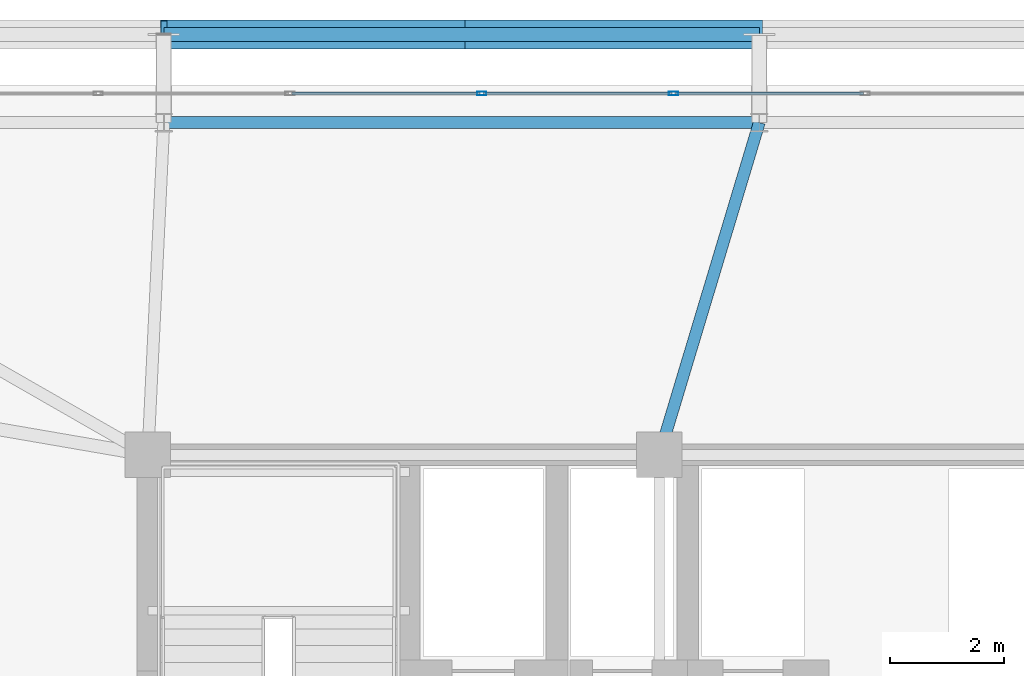
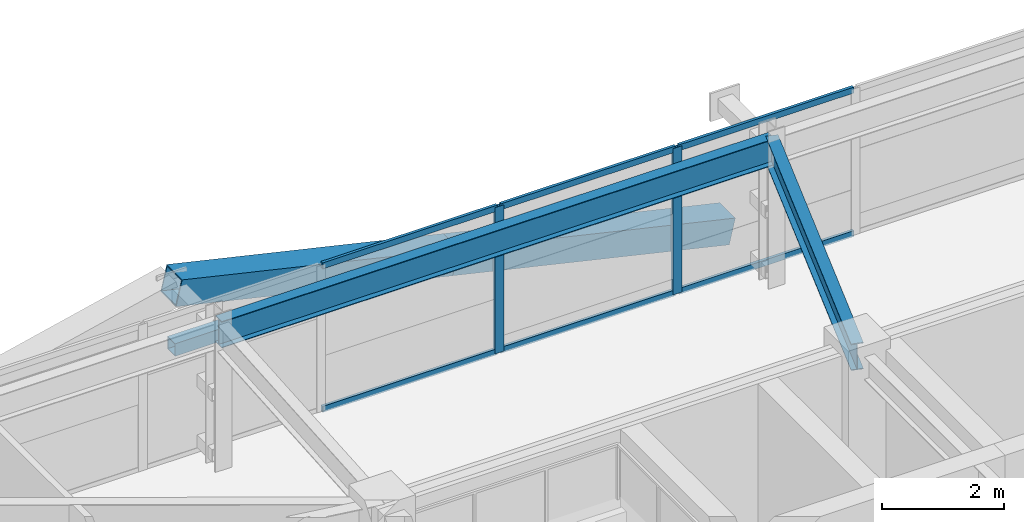
# One storey, part 36 of 58: 11 members, 2 beams, 1 element without a shape of its own.
"""IFC4 building model written with IfcOpenShell, lengths in metres."""

from ifc_helpers import new_model, si_unit, direction, frame, origin, origin_2d, place, context, subcontext, project, spatial, hollow_rectangle, i_section, extrude, source, transform, mapped, material, layer, layer_set, material_profile, profile_set, type_object, element, aggregate, save


model = new_model("IFC4")

# Units and contexts
model_context = context("Model", 3, precision=1e-05, world=origin(), true_north=direction((0.0, 1.0)))
body_context = subcontext(model_context, "Body", "Model", "MODEL_VIEW")
ifc_project = project(units=[si_unit("LENGTHUNIT", "METRE"), si_unit("AREAUNIT", "SQUARE_METRE"), si_unit("VOLUMEUNIT", "CUBIC_METRE"), si_unit("PLANEANGLEUNIT", "RADIAN"), si_unit("MASSUNIT", "GRAM", prefix="KILO")], contexts=[model_context])

# Site, building, storey
site_placement = place(None, origin())
site = spatial("IfcSite", under=ifc_project, at=site_placement, CompositionType="ELEMENT")
building_placement = place(site_placement, origin())
building = spatial("IfcBuilding", under=site, at=building_placement, Name="Taldren Reach Tower", CompositionType="ELEMENT")
storey_placement = place(building_placement, frame((0.0, 0.0, 35.699951171875)))
storey = spatial("IfcBuildingStorey", under=building, at=storey_placement, Name="L10", CompositionType="ELEMENT", Elevation=35.699951171875)

# Beams
ifc_material_1 = material(Name="Steel Gr 350 (350PLUS)", Category="steel")
ifc_material_profile_1 = material_profile(ifc_material_1, i_section(OverallWidth=0.208984375, OverallDepth=0.528076171875, WebThickness=0.009521484375, FlangeThickness=0.01318359375, at=origin_2d()), Name="530UB82.0")
ifc_profile_set_1 = profile_set([ifc_material_profile_1], Name="Steel Gr 350 (350PLUS)")
beam_type_1 = type_object("IfcBeamType", Name="SP-UB530B", PredefinedType="SPANDREL", material=ifc_profile_set_1)
shared_shape_1 = source(origin(), body_context, "Body", "SweptSolid", [
    extrude(i_section(OverallWidth=0.208984375, OverallDepth=0.528076171875, WebThickness=0.009521484375, FlangeThickness=0.01318359375, at=origin_2d()), origin(), (0.0, 0.0, 1.0), 10.47998046875),
])
beam_1_placement = place(storey_placement, frame((29.760009765625, 37.85009765625, 2.666015625), z_axis=(-1.0, 0.0, 0.0), x_axis=(0.0, -1.0, 0.0)))
element("IfcBeam", 1, at=beam_1_placement, inside=storey, type_object=beam_type_1, Name="Perimeter spandrel B1 N3-N2 L10", PredefinedType="SPANDREL", context=body_context, shape_type="MappedRepresentation", body=[
    mapped(shared_shape_1, transform((0.0, 0.0, 0.0), scale=1.0)),
])
ifc_material_profile_2 = material_profile(ifc_material_1, i_section(OverallWidth=0.208984375, OverallDepth=0.532958984375, WebThickness=0.01025390625, FlangeThickness=0.015625, at=origin_2d()), Name="530UB92.4")
ifc_profile_set_2 = profile_set([ifc_material_profile_2], Name="Steel Gr 350 (350PLUS)")
beam_type_2 = type_object("IfcBeamType", Name="BM-UB530A", PredefinedType="BEAM", material=ifc_profile_set_2)
shared_shape_2 = source(origin(), body_context, "Body", "SweptSolid", [
    extrude(i_section(OverallWidth=0.208984375, OverallDepth=0.532958984375, WebThickness=0.01025390625, FlangeThickness=0.015625, at=origin_2d()), origin(), (0.0, 0.0, 1.0), 6.109130859375),
])
beam_2_placement = place(storey_placement, frame((28.0, 32.0, 2.66357421875), z_axis=(0.288095735745, 0.957601611864, 0.0), x_axis=(-0.957601611864, 0.288095735745, 0.0)))
element("IfcBeam", 2, at=beam_2_placement, inside=storey, type_object=beam_type_2, Name="Primary floor girder B1-N3 L10", PredefinedType="BEAM", context=body_context, shape_type="MappedRepresentation", body=[
    mapped(shared_shape_2, transform((0.0, 0.0, 0.0), scale=1.0)),
])

# Members
ifc_material_2 = material(Name="Steel Gr 450 (C450L0)", Category="steel")
ifc_material_profile_3 = material_profile(ifc_material_2, hollow_rectangle(XDim=0.510009765625, YDim=0.510009765625, WallThickness=0.02001953125, at=origin_2d()), Name="510x510x20.0SHS")
ifc_profile_set_3 = profile_set([ifc_material_profile_3], Name="Steel Gr 450 (C450L0)")
member_type_1 = type_object("IfcMemberType", Name="MB-EXO508", PredefinedType="BRACE", material=ifc_profile_set_3)
shared_shape_3 = source(origin(), body_context, "Body", "SweptSolid", [
    extrude(hollow_rectangle(XDim=0.510009765625, YDim=0.510009765625, WallThickness=0.02001953125, at=origin_2d()), origin(), (0.0, 0.0, 1.0), 5.37890625),
])
for number, where, z_axis, x_axis, name in (
    (3, (29.760009765625, 39.39990234375, 0.219970703125), (-0.97415197996, 0.0, 0.225893603143), (0.0, -1.0, 0.0), "Exoskeleton Diagrid Brace B1-N2 L10"),
    (4, (24.52001953125, 39.39990234375, 1.43505859375), (-0.97415197996, 0.0, 0.225893603143), (0.0, -1.0, 0.0), "Exoskeleton Diagrid Brace B1-N2 L10"),
):
    element("IfcMember", number, at=place(storey_placement, frame(where, z_axis=z_axis, x_axis=x_axis)), inside=storey, type_object=member_type_1, Name=name, PredefinedType="BRACE", context=body_context, shape_type="MappedRepresentation", body=[
        mapped(shared_shape_3, transform((0.0, 0.0, 0.0), scale=1.0)),
    ])
ifc_material_3 = material(Name="Steel Gr 350 (C350L0)", Category="steel")
ifc_material_profile_4 = material_profile(ifc_material_3, hollow_rectangle(XDim=0.25, YDim=0.25, WallThickness=0.010009765625, at=origin_2d()), Name="250x250x10.0SHS")
ifc_profile_set_4 = profile_set([ifc_material_profile_4], Name="Steel Gr 350 (C350L0)")
member_type_2 = type_object("IfcMemberType", Name="MB-POST250", PredefinedType="POST", material=ifc_profile_set_4)
shared_shape_4 = source(origin(), body_context, "Body", "SweptSolid", [
    extrude(hollow_rectangle(XDim=0.25, YDim=0.25, WallThickness=0.010009765625, at=origin_2d()), origin(), (0.0, 0.0, 1.0), 10.47998046875),
])
member_1_placement = place(storey_placement, frame((19.280029296875, 39.39990234375, 1.43505859375), z_axis=(1.0, 0.0, 0.0), x_axis=(0.0, 1.0, 0.0)))
element("IfcMember", 5, at=member_1_placement, inside=storey, type_object=member_type_2, Name="Exoskeleton mid-height ring chord B1-N2 L10", PredefinedType="POST", context=body_context, shape_type="MappedRepresentation", body=[
    mapped(shared_shape_4, transform((0.0, 0.0, 0.0), scale=1.0)),
])

# Curtain wall, members
ifc_material_4 = material(Name="Aluminium and Low-E Glass Unitised System", Category="aluminium")
ifc_layer = layer(ifc_material_4, 0.159912109375)
ifc_layer_set = layer_set([ifc_layer], Name="Aluminium and Low-E Glass Unitised System")
curtain_wall_type = type_object("IfcCurtainWallType", Name="CW-SYS-2", PredefinedType="NOTDEFINED", material=ifc_layer_set)
curtain_wall_placement = place(storey_placement, origin())
curtain_wall = element("IfcCurtainWall", 6, at=curtain_wall_placement, inside=storey, type_object=curtain_wall_type, Name="Unitised curtain wall CW-L10-N", PredefinedType="NOTDEFINED")
ifc_material_5 = material(Name="Anodised Aluminium 6063-T6", Category="aluminium")
ifc_material_profile_5 = material_profile(ifc_material_5, hollow_rectangle(XDim=0.06494140625, YDim=0.1650390625, WallThickness=0.00390625, at=origin_2d()), Name="ALU-165x65x4RHS")
ifc_profile_set_5 = profile_set([ifc_material_profile_5], Name="Anodised Aluminium 6063-T6")
member_type_3 = type_object("IfcMemberType", Name="CW-MUL-165", PredefinedType="MULLION", material=ifc_profile_set_5)
shared_shape_5 = source(origin(), body_context, "Body", "SweptSolid", [
    extrude(hollow_rectangle(XDim=0.06494140625, YDim=0.1650390625, WallThickness=0.00390625, at=origin_2d()), origin(), (0.0, 0.0, 1.0), 2.929931640625),
])
member_2_placement = place(storey_placement, frame((28.25, 38.360107421875, 0.0), z_axis=(0.0, 0.0, 1.0), x_axis=(0.0, -1.0, 0.0)))
member_2 = element("IfcMember", 7, at=member_2_placement, type_object=member_type_3, Name="CW-2 mullion 11", PredefinedType="MULLION", context=body_context, shape_type="MappedRepresentation", body=[
    mapped(shared_shape_5, transform((0.0, 0.0, 0.0), scale=1.0)),
])
member_3_placement = place(storey_placement, frame((24.875, 38.360107421875, 0.0), z_axis=(0.0, 0.0, 1.0), x_axis=(0.0, -1.0, 0.0)))
member_3 = element("IfcMember", 8, at=member_3_placement, type_object=member_type_3, Name="CW-2 mullion 12", PredefinedType="MULLION", context=body_context, shape_type="MappedRepresentation", body=[
    mapped(shared_shape_5, transform((0.0, 0.0, 0.0), scale=1.0)),
])
ifc_material_profile_6 = material_profile(ifc_material_5, hollow_rectangle(XDim=0.054931640625, YDim=0.1201171875, WallThickness=0.0029296875, at=origin_2d()), Name="ALU-120x55x3RHS")
ifc_profile_set_6 = profile_set([ifc_material_profile_6], Name="Anodised Aluminium 6063-T6")
member_type_4 = type_object("IfcMemberType", Name="CW-TRN-135", PredefinedType="USERDEFINED", material=ifc_profile_set_6)
shared_shape_6 = source(origin(), body_context, "Body", "SweptSolid", [
    extrude(hollow_rectangle(XDim=0.054931640625, YDim=0.1201171875, WallThickness=0.0029296875, at=origin_2d()), origin(), (0.0, 0.0, 1.0), 3.31005859375),
])
member_4_placement = place(storey_placement, frame((31.592529296875, 38.360107421875, 0.027587890625), z_axis=(-1.0, 0.0, 0.0), x_axis=(0.0, -1.0, 0.0)))
member_4 = element("IfcMember", 9, at=member_4_placement, type_object=member_type_4, Name="CW-2 transom 10.1", ObjectType="TRANSOM", PredefinedType="USERDEFINED", context=body_context, shape_type="MappedRepresentation", body=[
    mapped(shared_shape_6, transform((0.0, 0.0, 0.0), scale=1.0)),
])
member_5_placement = place(storey_placement, frame((31.592529296875, 38.360107421875, 2.902587890625), z_axis=(-1.0, 0.0, 0.0), x_axis=(0.0, -1.0, 0.0)))
member_5 = element("IfcMember", 10, at=member_5_placement, type_object=member_type_4, Name="CW-2 transom 10.2", ObjectType="TRANSOM", PredefinedType="USERDEFINED", context=body_context, shape_type="MappedRepresentation", body=[
    mapped(shared_shape_6, transform((0.0, 0.0, 0.0), scale=1.0)),
])
member_6_placement = place(storey_placement, frame((28.217529296875, 38.360107421875, 0.027587890625), z_axis=(-1.0, 0.0, 0.0), x_axis=(0.0, -1.0, 0.0)))
member_6 = element("IfcMember", 11, at=member_6_placement, type_object=member_type_4, Name="CW-2 transom 11.1", ObjectType="TRANSOM", PredefinedType="USERDEFINED", context=body_context, shape_type="MappedRepresentation", body=[
    mapped(shared_shape_6, transform((0.0, 0.0, 0.0), scale=1.0)),
])
member_7_placement = place(storey_placement, frame((28.217529296875, 38.360107421875, 2.902587890625), z_axis=(-1.0, 0.0, 0.0), x_axis=(0.0, -1.0, 0.0)))
member_7 = element("IfcMember", 12, at=member_7_placement, type_object=member_type_4, Name="CW-2 transom 11.2", ObjectType="TRANSOM", PredefinedType="USERDEFINED", context=body_context, shape_type="MappedRepresentation", body=[
    mapped(shared_shape_6, transform((0.0, 0.0, 0.0), scale=1.0)),
])
member_8_placement = place(storey_placement, frame((24.842529296875, 38.360107421875, 0.027587890625), z_axis=(-1.0, 0.0, 0.0), x_axis=(0.0, -1.0, 0.0)))
member_8 = element("IfcMember", 13, at=member_8_placement, type_object=member_type_4, Name="CW-2 transom 12.1", ObjectType="TRANSOM", PredefinedType="USERDEFINED", context=body_context, shape_type="MappedRepresentation", body=[
    mapped(shared_shape_6, transform((0.0, 0.0, 0.0), scale=1.0)),
])
member_9_placement = place(storey_placement, frame((24.842529296875, 38.360107421875, 2.902587890625), z_axis=(-1.0, 0.0, 0.0), x_axis=(0.0, -1.0, 0.0)))
member_9 = element("IfcMember", 14, at=member_9_placement, type_object=member_type_4, Name="CW-2 transom 12.2", ObjectType="TRANSOM", PredefinedType="USERDEFINED", context=body_context, shape_type="MappedRepresentation", body=[
    mapped(shared_shape_6, transform((0.0, 0.0, 0.0), scale=1.0)),
])
aggregate(curtain_wall, [member_2, member_3, member_4, member_5, member_6, member_7, member_8, member_9])

save(model, "model.ifc")
